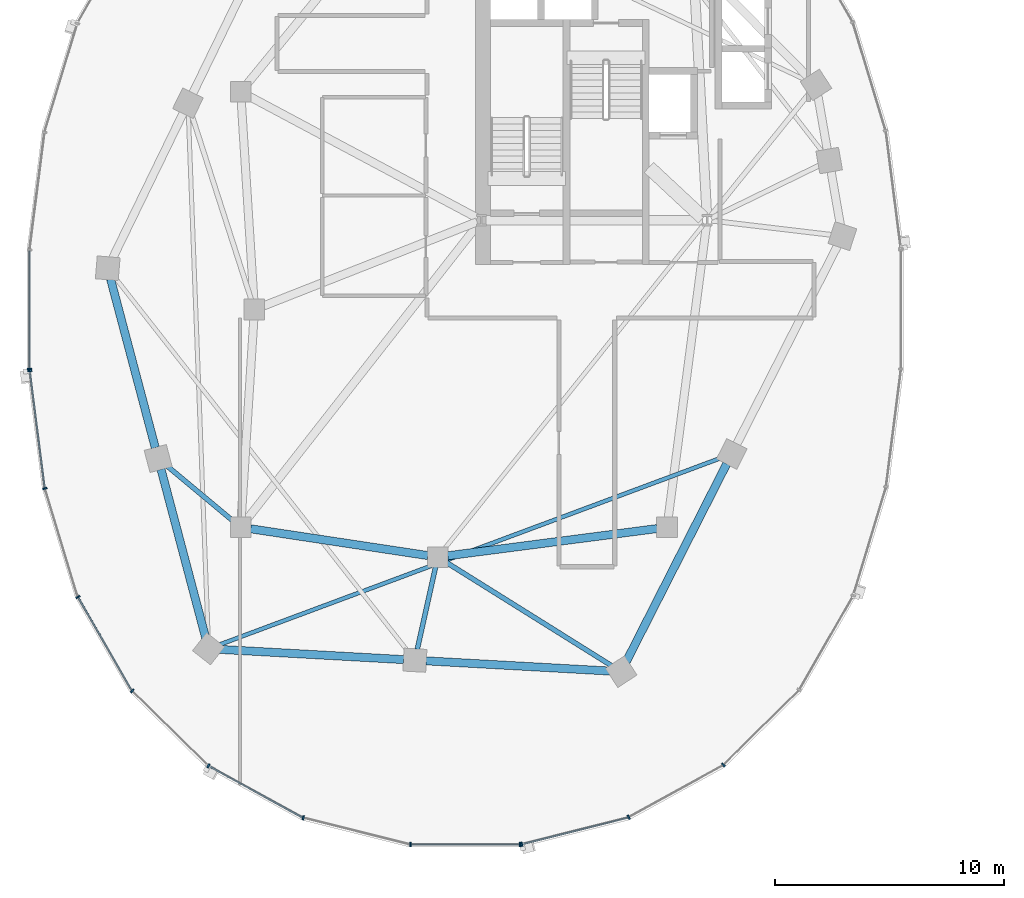
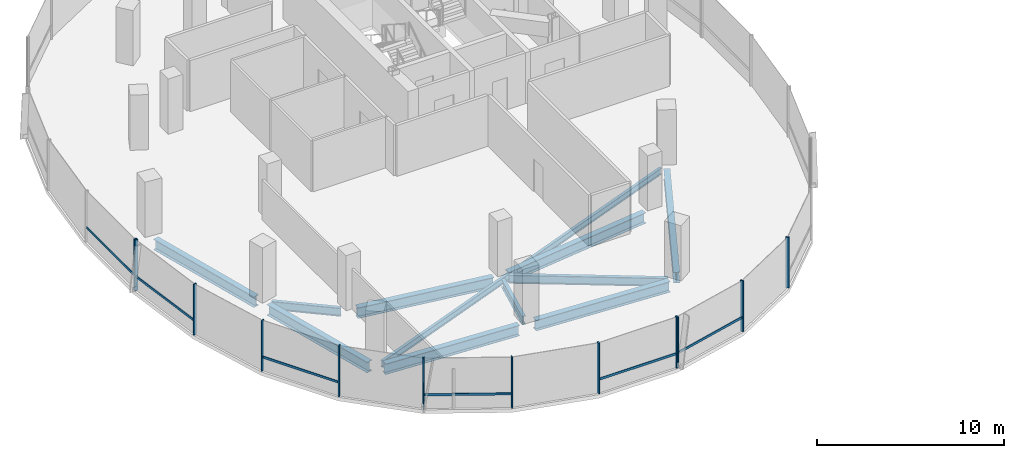
# One storey, part 2 of 21: 18 members, 11 beams, 3 elements without a shape of their own.
"""IFC4 building model written with IfcOpenShell, lengths in metres."""

from ifc_helpers import new_model, si_unit, direction, frame, origin, origin_2d, place, context, subcontext, project, spatial, rectangle, i_section, extrude, material, material_profile, profile_set, type_object, element, aggregate, save


model = new_model("IFC4")

# Units and contexts
model_context = context("Model", 3, precision=1e-05, world=origin(), true_north=direction((0.0, 1.0)))
body_context = subcontext(model_context, "Body", "Model", "MODEL_VIEW")
ifc_project = project(units=[si_unit("LENGTHUNIT", "METRE"), si_unit("AREAUNIT", "SQUARE_METRE"), si_unit("VOLUMEUNIT", "CUBIC_METRE"), si_unit("PLANEANGLEUNIT", "RADIAN"), si_unit("MASSUNIT", "GRAM", prefix="KILO"), si_unit("THERMODYNAMICTEMPERATUREUNIT", "KELVIN"), si_unit("POWERUNIT", "WATT")], contexts=[model_context])

# Site, building, storey
site_placement = place(None, origin())
site = spatial("IfcSite", under=ifc_project, at=site_placement, CompositionType="ELEMENT")
building_placement = place(site_placement, origin())
building = spatial("IfcBuilding", under=site, at=building_placement, Name="Cundina Bronze Exchange", CompositionType="ELEMENT")
storey_placement = place(building_placement, frame((0.0, 0.0, 183.60009765625)))
storey = spatial("IfcBuildingStorey", under=building, at=storey_placement, Name="L48", CompositionType="ELEMENT", Elevation=183.60009765625)

# Beams
ifc_material_1 = material(Name="Steel ASTM A992 Grade 50", Category="steel")
ifc_material_profile_1 = material_profile(ifc_material_1, i_section(OverallWidth=0.2119140625, OverallDepth=0.5439453125, WebThickness=0.01318359375, FlangeThickness=0.021240234375, FilletRadius=0.013916015625, at=origin_2d()), Name="W21X83", Category="steel")
ifc_profile_set_1 = profile_set([ifc_material_profile_1], Name="Steel ASTM A992 Grade 50")
beam_type_1 = type_object("IfcBeamType", Name="BM-FLR-W21A", PredefinedType="BEAM", material=ifc_profile_set_1)
beam_1_placement = place(storey_placement, frame((-42.136474609375, -9.219482421875, -0.51220703125), z_axis=(-0.768253211489, 0.640146079451, 0.0), x_axis=(-0.640146079451, -0.768253211489, 0.0)))
element("IfcBeam", 1, at=beam_1_placement, inside=storey, type_object=beam_type_1, Name="L48 Leg W Radial Floor Beam 09", PredefinedType="BEAM", context=body_context, shape_type="SweptSolid", body=[
    extrude(i_section(OverallWidth=0.2119140625, OverallDepth=0.5439453125, WebThickness=0.01318359375, FlangeThickness=0.021240234375, FilletRadius=0.013916015625, at=origin_2d()), origin(), (0.0, 0.0, 1.0), 3.760009765625),
])
beam_2_placement = place(storey_placement, frame((-33.294921875, -11.2275390625, -0.51220703125), z_axis=(-0.216923440287, -0.976188619609, 0.0), x_axis=(0.976188619609, -0.216923440287, 0.0)))
element("IfcBeam", 2, at=beam_2_placement, inside=storey, type_object=beam_type_1, Name="L48 Leg W Radial Floor Beam 11", PredefinedType="BEAM", context=body_context, shape_type="SweptSolid", body=[
    extrude(i_section(OverallWidth=0.2119140625, OverallDepth=0.5439453125, WebThickness=0.01318359375, FlangeThickness=0.021240234375, FilletRadius=0.013916015625, at=origin_2d()), origin(), (0.0, 0.0, 1.0), 3.68359375),
])
beam_3_placement = place(storey_placement, frame((-32.82861328125, -11.031982421875, -0.51220703125), z_axis=(0.847985407265, -0.530019574228, 0.0), x_axis=(0.530019574228, 0.847985407265, 0.0)))
element("IfcBeam", 3, at=beam_3_placement, inside=storey, type_object=beam_type_1, Name="L48 Leg W Radial Floor Beam 12", PredefinedType="BEAM", context=body_context, shape_type="SweptSolid", body=[
    extrude(i_section(OverallWidth=0.2119140625, OverallDepth=0.5439453125, WebThickness=0.01318359375, FlangeThickness=0.021240234375, FilletRadius=0.013916015625, at=origin_2d()), origin(), (0.0, 0.0, 1.0), 8.50830078125),
])
ifc_material_profile_2 = material_profile(ifc_material_1, i_section(OverallWidth=0.178955078125, OverallDepth=0.409912109375, WebThickness=0.0087890625, FlangeThickness=0.014404296875, FilletRadius=0.010986328125, at=origin_2d()), Name="W16X45", Category="steel")
ifc_profile_set_2 = profile_set([ifc_material_profile_2], Name="Steel ASTM A992 Grade 50")
beam_type_2 = type_object("IfcBeamType", Name="BM-JST-W16", PredefinedType="JOIST", material=ifc_profile_set_2)
beam_4_placement = place(storey_placement, frame((-42.74267578125, -14.629638671875, -0.445068359375), z_axis=(0.937127922351, 0.348986041483, 0.0), x_axis=(-0.348986041483, 0.937127922351, 0.0)))
element("IfcBeam", 4, at=beam_4_placement, inside=storey, type_object=beam_type_2, Name="L48 Leg W Lobe Floor Joist 10-13", PredefinedType="JOIST", context=body_context, shape_type="SweptSolid", body=[
    extrude(i_section(OverallWidth=0.178955078125, OverallDepth=0.409912109375, WebThickness=0.0087890625, FlangeThickness=0.014404296875, FilletRadius=0.010986328125, at=origin_2d()), origin(), (0.0, 0.0, 1.0), 23.38037109375),
])
ifc_material_profile_3 = material_profile(ifc_material_1, i_section(OverallWidth=0.35498046875, OverallDepth=0.695068359375, WebThickness=0.015380859375, FlangeThickness=0.02490234375, FilletRadius=0.01806640625, at=origin_2d()), Name="W27X146", Category="steel")
ifc_profile_set_3 = profile_set([ifc_material_profile_3], Name="Steel ASTM A992 Grade 50")
beam_type_3 = type_object("IfcBeamType", Name="BM-RING-W27", PredefinedType="USERDEFINED", material=ifc_profile_set_3)
beam_5_placement = place(storey_placement, frame((-41.366943359375, -9.5654296875, -0.587646484375), z_axis=(0.988764903598, -0.149478979839, 0.0), x_axis=(0.149478979839, 0.988764903598, 0.0)))
element("IfcBeam", 5, at=beam_5_placement, inside=storey, type_object=beam_type_3, Name="L48 W Inner Structural Ring Girder 05", ObjectType="GIRDER", PredefinedType="USERDEFINED", context=body_context, shape_type="SweptSolid", body=[
    extrude(i_section(OverallWidth=0.35498046875, OverallDepth=0.695068359375, WebThickness=0.015380859375, FlangeThickness=0.02490234375, FilletRadius=0.01806640625, at=origin_2d()), origin(), (0.0, 0.0, 1.0), 7.82177734375),
])
beam_6_placement = place(storey_placement, frame((-32.765625, -10.743408203125, -0.587646484375), z_axis=(0.991656498582, 0.128908451316, 0.0), x_axis=(-0.128908451316, 0.991656498582, 0.0)))
element("IfcBeam", 6, at=beam_6_placement, inside=storey, type_object=beam_type_3, Name="L48 W Inner Structural Ring Girder 06", ObjectType="GIRDER", PredefinedType="USERDEFINED", context=body_context, shape_type="SweptSolid", body=[
    extrude(i_section(OverallWidth=0.35498046875, OverallDepth=0.695068359375, WebThickness=0.015380859375, FlangeThickness=0.02490234375, FilletRadius=0.01806640625, at=origin_2d()), origin(), (0.0, 0.0, 1.0), 9.208251953125),
])
for number, where, z_axis, x_axis, name in (
    (7, (-47.47509765625, 1.328369140625, -0.587646484375), (0.256240814108, -0.966612975904, 0.0), (0.966612975904, 0.256240814108, 0.0), "L48 W Perimeter Ring Girder 08"),
    (8, (-45.27490234375, -6.9716796875, -0.587646484375), (0.256210841755, -0.96662092082, 0.0), (0.96662092082, 0.256210841755, 0.0), "L48 W Perimeter Ring Girder 09"),
):
    element("IfcBeam", number, at=place(storey_placement, frame(where, z_axis=z_axis, x_axis=x_axis)), inside=storey, type_object=beam_type_3, Name=name, ObjectType="GIRDER", PredefinedType="USERDEFINED", context=body_context, shape_type="SweptSolid", body=[
        extrude(i_section(OverallWidth=0.35498046875, OverallDepth=0.695068359375, WebThickness=0.015380859375, FlangeThickness=0.02490234375, FilletRadius=0.01806640625, at=origin_2d()), origin(), (0.0, 0.0, 1.0), 7.61083984375),
    ])
for number, where, z_axis, x_axis, name in (
    (9, (-42.712890625, -14.8271484375, -0.587646484375), (0.998460820451, -0.055461608559, 0.0), (0.055461608559, 0.998460820451, 0.0), "L48 W Perimeter Ring Girder 10"),
    (10, (-33.712890625, -15.3271484375, -0.587646484375), (0.998460820451, -0.055461608559, 0.0), (0.055461608559, 0.998460820451, 0.0), "L48 W Perimeter Ring Girder 11"),
):
    element("IfcBeam", number, at=place(storey_placement, frame(where, z_axis=z_axis, x_axis=x_axis)), inside=storey, type_object=beam_type_3, Name=name, ObjectType="GIRDER", PredefinedType="USERDEFINED", context=body_context, shape_type="SweptSolid", body=[
        extrude(i_section(OverallWidth=0.35498046875, OverallDepth=0.695068359375, WebThickness=0.015380859375, FlangeThickness=0.02490234375, FilletRadius=0.01806640625, at=origin_2d()), origin(), (0.0, 0.0, 1.0), 8.0380859375),
    ])
beam_7_placement = place(storey_placement, frame((-24.97900390625, -15.364990234375, -0.587646484375), z_axis=(0.452834585354, 0.891594548159, 0.0), x_axis=(-0.891594548159, 0.452834585354, 0.0)))
element("IfcBeam", 11, at=beam_7_placement, inside=storey, type_object=beam_type_3, Name="L48 W Perimeter Ring Girder 12", ObjectType="GIRDER", PredefinedType="USERDEFINED", context=body_context, shape_type="SweptSolid", body=[
    extrude(i_section(OverallWidth=0.35498046875, OverallDepth=0.695068359375, WebThickness=0.015380859375, FlangeThickness=0.02490234375, FilletRadius=0.01806640625, at=origin_2d()), origin(), (0.0, 0.0, 1.0), 9.67919921875),
])

# Curtain wall, member
ifc_material_2 = material(Name="Anodised Bronze Aluminium 6063-T6", Category="aluminium")
curtain_wall_type = type_object("IfcCurtainWallType", Name="CWS-WST-PIN", PredefinedType="NOTDEFINED", material=ifc_material_2)
curtain_wall_1_placement = place(storey_placement, origin())
curtain_wall_1 = element("IfcCurtainWall", 12, at=curtain_wall_1_placement, inside=storey, type_object=curtain_wall_type, Name="L48 CW-04 Curtain Wall Run CWR-L48-W2", PredefinedType="NOTDEFINED")
ifc_material_profile_4 = material_profile(ifc_material_2, rectangle(XDim=0.070068359375, YDim=0.18994140625, at=origin_2d()), Name="AL70X190", Category="aluminium")
ifc_profile_set_4 = profile_set([ifc_material_profile_4], Name="Anodised Bronze Aluminium 6063-T6")
member_type_1 = type_object("IfcMemberType", Name="CWM-MUL-190", PredefinedType="MULLION", material=ifc_profile_set_4)
member_1_placement = place(storey_placement, frame((-51.007080078125, -2.593017578125, 0.0), z_axis=(0.0, 0.0, 1.0), x_axis=(0.0, -1.0, 0.0)))
member_1 = element("IfcMember", 13, at=member_1_placement, type_object=member_type_1, Name="CW-04 End Mullion", PredefinedType="MULLION", context=body_context, shape_type="SweptSolid", body=[
    extrude(rectangle(XDim=0.070068359375, YDim=0.18994140625, at=origin_2d()), origin(), (0.0, 0.0, 1.0), 3.31982421875),
])

# Curtain wall, members
curtain_wall_2_placement = place(storey_placement, origin())
curtain_wall_2 = element("IfcCurtainWall", 14, at=curtain_wall_2_placement, inside=storey, type_object=curtain_wall_type, Name="L48 CW-04 Curtain Wall Run CWR-L48-W3", PredefinedType="NOTDEFINED")
member_2_placement = place(storey_placement, frame((-51.001708984375, -2.676025390625, 0.0), z_axis=(0.0, 0.0, 1.0), x_axis=(0.126545236492, -0.991960837494, 0.0)))
member_2 = element("IfcMember", 15, at=member_2_placement, type_object=member_type_1, Name="CW-04 Mullion 1", PredefinedType="MULLION", context=body_context, shape_type="SweptSolid", body=[
    extrude(rectangle(XDim=0.070068359375, YDim=0.18994140625, at=origin_2d()), origin(), (0.0, 0.0, 1.0), 3.31982421875),
])
member_3_placement = place(storey_placement, frame((-50.3408203125, -7.80859375, 0.0), z_axis=(0.0, 0.0, 1.0), x_axis=(0.290034140915, -0.957016299288, 0.0)))
member_3 = element("IfcMember", 16, at=member_3_placement, type_object=member_type_1, Name="CW-04 Mullion 2", PredefinedType="MULLION", context=body_context, shape_type="SweptSolid", body=[
    extrude(rectangle(XDim=0.070068359375, YDim=0.18994140625, at=origin_2d()), origin(), (0.0, 0.0, 1.0), 3.31982421875),
])
member_4_placement = place(storey_placement, frame((-48.89794921875, -12.541259765625, 0.0), z_axis=(0.0, 0.0, 1.0), x_axis=(0.498487739754, -0.866896748936, 0.0)))
member_4 = element("IfcMember", 17, at=member_4_placement, type_object=member_type_1, Name="CW-04 Mullion 3", PredefinedType="MULLION", context=body_context, shape_type="SweptSolid", body=[
    extrude(rectangle(XDim=0.070068359375, YDim=0.18994140625, at=origin_2d()), origin(), (0.0, 0.0, 1.0), 3.31982421875),
])
member_5_placement = place(storey_placement, frame((-46.530517578125, -16.640380859375, 0.0), z_axis=(0.0, 0.0, 1.0), x_axis=(0.712026045991, -0.702153052995, 0.0)))
member_5 = element("IfcMember", 18, at=member_5_placement, type_object=member_type_1, Name="CW-04 Mullion 4", PredefinedType="MULLION", context=body_context, shape_type="SweptSolid", body=[
    extrude(rectangle(XDim=0.070068359375, YDim=0.18994140625, at=origin_2d()), origin(), (0.0, 0.0, 1.0), 3.31982421875),
])
member_6_placement = place(storey_placement, frame((-43.20654296875, -19.906005859375, 0.0), z_axis=(0.0, 0.0, 1.0), x_axis=(0.875885937035, -0.482518212408, 0.0)))
member_6 = element("IfcMember", 19, at=member_6_placement, type_object=member_type_1, Name="CW-04 Mullion 5", PredefinedType="MULLION", context=body_context, shape_type="SweptSolid", body=[
    extrude(rectangle(XDim=0.070068359375, YDim=0.18994140625, at=origin_2d()), origin(), (0.0, 0.0, 1.0), 3.31982421875),
])
member_7_placement = place(storey_placement, frame((-39.067626953125, -22.17626953125, 0.0), z_axis=(0.0, 0.0, 1.0), x_axis=(0.970084240161, -0.242768546132, 0.0)))
member_7 = element("IfcMember", 20, at=member_7_placement, type_object=member_type_1, Name="CW-04 Mullion 6", PredefinedType="MULLION", context=body_context, shape_type="SweptSolid", body=[
    extrude(rectangle(XDim=0.070068359375, YDim=0.18994140625, at=origin_2d()), origin(), (0.0, 0.0, 1.0), 3.31982421875),
])
member_8_placement = place(storey_placement, frame((-34.39404296875, -23.3369140625, 0.0), z_axis=(0.0, 0.0, 1.0), x_axis=(1.0, 0.0, 0.0)))
member_8 = element("IfcMember", 21, at=member_8_placement, type_object=member_type_1, Name="CW-04 Mullion 7", PredefinedType="MULLION", context=body_context, shape_type="SweptSolid", body=[
    extrude(rectangle(XDim=0.070068359375, YDim=0.18994140625, at=origin_2d()), origin(), (0.0, 0.0, 1.0), 3.31982421875),
])
member_9_placement = place(storey_placement, frame((-29.60595703125, -23.3369140625, 0.0), z_axis=(0.0, 0.0, 1.0), x_axis=(1.0, 0.0, 0.0)))
member_9 = element("IfcMember", 22, at=member_9_placement, type_object=member_type_1, Name="CW-04 End Mullion", PredefinedType="MULLION", context=body_context, shape_type="SweptSolid", body=[
    extrude(rectangle(XDim=0.070068359375, YDim=0.18994140625, at=origin_2d()), origin(), (0.0, 0.0, 1.0), 3.31982421875),
])

curtain_wall_3_placement = place(storey_placement, origin())
curtain_wall_3 = element("IfcCurtainWall", 23, at=curtain_wall_3_placement, inside=storey, type_object=curtain_wall_type, Name="L48 CW-04 Curtain Wall Run CWR-L48-W4", PredefinedType="NOTDEFINED")
member_10_placement = place(storey_placement, frame((-29.537353515625, -23.32861328125, 0.0), z_axis=(0.0, 0.0, 1.0), x_axis=(0.970084240161, 0.242768546132, 0.0)))
member_10 = element("IfcMember", 24, at=member_10_placement, type_object=member_type_1, Name="CW-04 Mullion 1", PredefinedType="MULLION", context=body_context, shape_type="SweptSolid", body=[
    extrude(rectangle(XDim=0.070068359375, YDim=0.18994140625, at=origin_2d()), origin(), (0.0, 0.0, 1.0), 3.31982421875),
])
member_11_placement = place(storey_placement, frame((-24.86962890625, -22.151611328125, 0.0), z_axis=(0.0, 0.0, 1.0), x_axis=(0.875885937035, 0.482518212408, 0.0)))
member_11 = element("IfcMember", 25, at=member_11_placement, type_object=member_type_1, Name="CW-04 Mullion 2", PredefinedType="MULLION", context=body_context, shape_type="SweptSolid", body=[
    extrude(rectangle(XDim=0.070068359375, YDim=0.18994140625, at=origin_2d()), origin(), (0.0, 0.0, 1.0), 3.31982421875),
])
member_12_placement = place(storey_placement, frame((-20.740966796875, -19.86669921875, 0.0), z_axis=(0.0, 0.0, 1.0), x_axis=(0.712026045991, 0.702153052995, 0.0)))
member_12 = element("IfcMember", 26, at=member_12_placement, type_object=member_type_1, Name="CW-04 Mullion 3", PredefinedType="MULLION", context=body_context, shape_type="SweptSolid", body=[
    extrude(rectangle(XDim=0.070068359375, YDim=0.18994140625, at=origin_2d()), origin(), (0.0, 0.0, 1.0), 3.31982421875),
])

# Member
ifc_material_profile_5 = material_profile(ifc_material_2, rectangle(XDim=0.06494140625, YDim=0.14990234375, at=origin_2d()), Name="AL65X150", Category="aluminium")
ifc_profile_set_5 = profile_set([ifc_material_profile_5], Name="Anodised Bronze Aluminium 6063-T6")
member_type_2 = type_object("IfcMemberType", Name="CWM-TRN-150", PredefinedType="USERDEFINED", material=ifc_profile_set_5)
member_13_placement = place(storey_placement, frame((-51.007080078125, 2.554443359375, 0.919921875), z_axis=(0.0, -1.0, 0.0), x_axis=(1.0, 0.0, 0.0)))
member_13 = element("IfcMember", 27, at=member_13_placement, type_object=member_type_2, Name="CW-04 Spandrel Transom 7", ObjectType="TRANSOM", PredefinedType="USERDEFINED", context=body_context, shape_type="SweptSolid", body=[
    extrude(rectangle(XDim=0.06494140625, YDim=0.14990234375, at=origin_2d()), origin(), (0.0, 0.0, 1.0), 5.10888671875),
])

aggregate(curtain_wall_1, [member_1, member_13])

member_14_placement = place(storey_placement, frame((-50.996826171875, -2.71435546875, 0.919921875), z_axis=(0.12646340362, -0.991971273548, 0.0), x_axis=(0.991971273548, 0.12646340362, 0.0)))
member_14 = element("IfcMember", 28, at=member_14_placement, type_object=member_type_2, Name="CW-04 Spandrel Transom 1", ObjectType="TRANSOM", PredefinedType="USERDEFINED", context=body_context, shape_type="SweptSolid", body=[
    extrude(rectangle(XDim=0.06494140625, YDim=0.14990234375, at=origin_2d()), origin(), (0.0, 0.0, 1.0), 5.0966796875),
])

member_15_placement = place(storey_placement, frame((-48.878662109375, -12.574462890625, 0.919921875), z_axis=(0.498479967047, -0.866901218394, 0.0), x_axis=(0.866901218394, 0.498479967047, 0.0)))
member_15 = element("IfcMember", 29, at=member_15_placement, type_object=member_type_2, Name="CW-04 Spandrel Transom 3", ObjectType="TRANSOM", PredefinedType="USERDEFINED", context=body_context, shape_type="SweptSolid", body=[
    extrude(rectangle(XDim=0.06494140625, YDim=0.14990234375, at=origin_2d()), origin(), (0.0, 0.0, 1.0), 4.66845703125),
])

member_16_placement = place(storey_placement, frame((-43.1728515625, -19.924560546875, 0.919921875), z_axis=(0.875878981549, -0.482530838062, 0.0), x_axis=(0.482530838062, 0.875878981549, 0.0)))
member_16 = element("IfcMember", 30, at=member_16_placement, type_object=member_type_2, Name="CW-04 Spandrel Transom 5", ObjectType="TRANSOM", PredefinedType="USERDEFINED", context=body_context, shape_type="SweptSolid", body=[
    extrude(rectangle(XDim=0.06494140625, YDim=0.14990234375, at=origin_2d()), origin(), (0.0, 0.0, 1.0), 4.65380859375),
])

member_17_placement = place(storey_placement, frame((-34.35546875, -23.3369140625, 0.919921875), z_axis=(1.0, 0.0, 0.0), x_axis=(0.0, 1.0, 0.0)))
member_17 = element("IfcMember", 31, at=member_17_placement, type_object=member_type_2, Name="CW-04 Spandrel Transom 7", ObjectType="TRANSOM", PredefinedType="USERDEFINED", context=body_context, shape_type="SweptSolid", body=[
    extrude(rectangle(XDim=0.06494140625, YDim=0.14990234375, at=origin_2d()), origin(), (0.0, 0.0, 1.0), 4.7109375),
])

aggregate(curtain_wall_2, [member_2, member_14, member_3, member_4, member_15, member_5, member_6, member_16, member_7, member_8, member_9, member_17])

member_18_placement = place(storey_placement, frame((-29.5, -23.319091796875, 0.919921875), z_axis=(0.970100130035, 0.242705042606, 0.0), x_axis=(-0.242705042606, 0.970100130035, 0.0)))
member_18 = element("IfcMember", 32, at=member_18_placement, type_object=member_type_2, Name="CW-04 Spandrel Transom 1", ObjectType="TRANSOM", PredefinedType="USERDEFINED", context=body_context, shape_type="SweptSolid", body=[
    extrude(rectangle(XDim=0.06494140625, YDim=0.14990234375, at=origin_2d()), origin(), (0.0, 0.0, 1.0), 4.746826171875),
])

aggregate(curtain_wall_3, [member_10, member_18, member_11, member_12])

save(model, "model.ifc")
